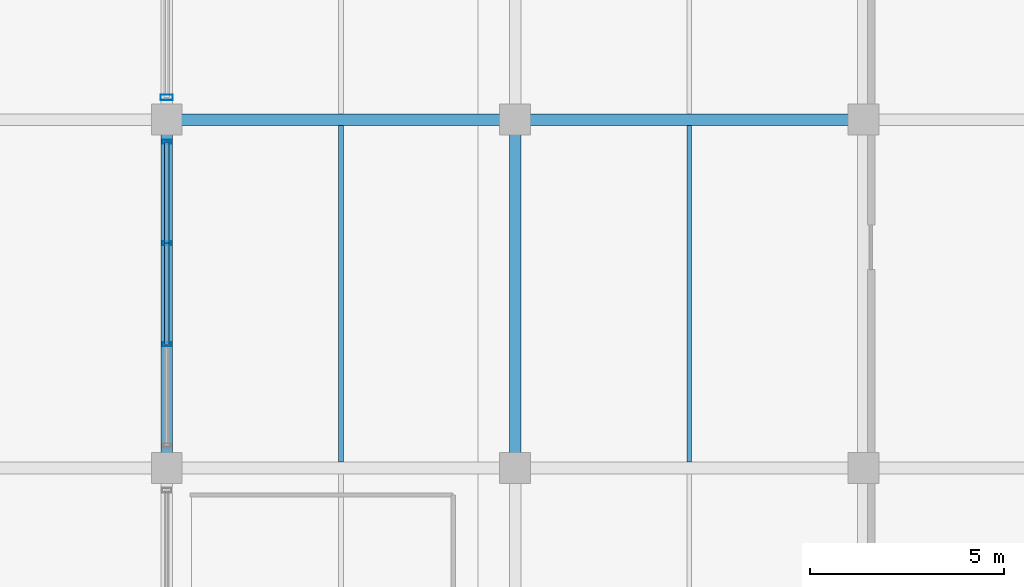
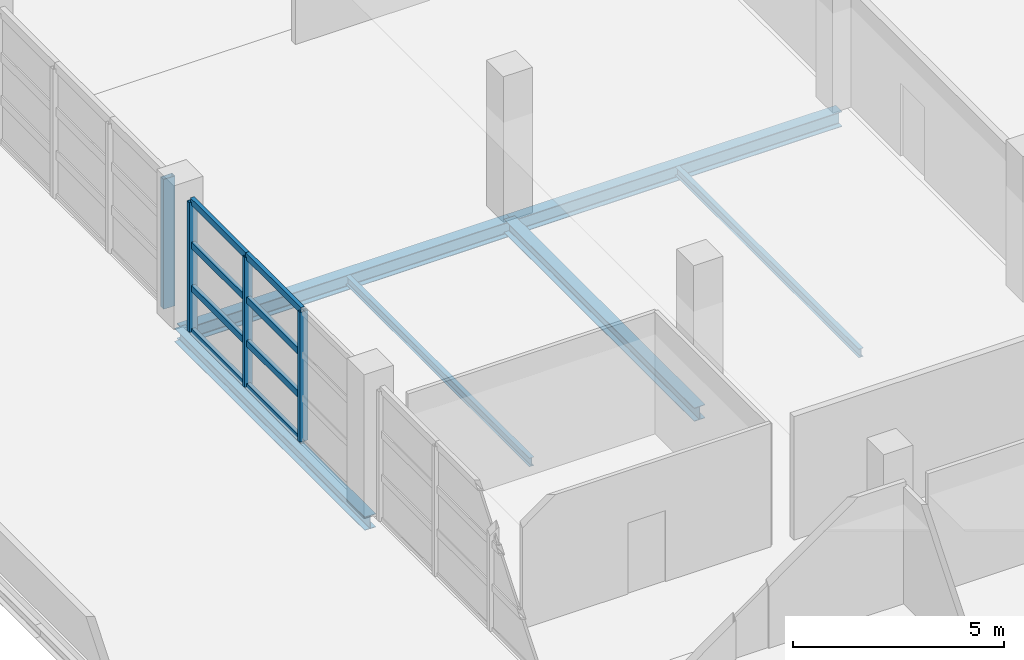
# One storey, part 82 of 136: 12 members, 6 beams, 2 elements without a shape of their own.
"""IFC4 building model written with IfcOpenShell, lengths in metres."""

from ifc_helpers import new_model, si_unit, direction, frame, origin, origin_2d, place, context, subcontext, project, spatial, hollow_rectangle, i_section, extrude, material, material_profile, profile_set, type_object, element, aggregate, save


model = new_model("IFC4")

# Units and contexts
model_context = context("Model", 3, precision=1e-05, world=origin(), true_north=direction((0.0, 1.0)))
body_context = subcontext(model_context, "Body", "Model", "MODEL_VIEW")
ifc_project = project(units=[si_unit("LENGTHUNIT", "METRE"), si_unit("AREAUNIT", "SQUARE_METRE"), si_unit("VOLUMEUNIT", "CUBIC_METRE"), si_unit("PLANEANGLEUNIT", "RADIAN"), si_unit("MASSUNIT", "GRAM", prefix="KILO")], contexts=[model_context])

# Site, building, storey
site_placement = place(None, origin())
site = spatial("IfcSite", under=ifc_project, at=site_placement, CompositionType="ELEMENT")
building_placement = place(site_placement, origin())
building = spatial("IfcBuilding", under=site, at=building_placement, Name="Chuanluo Vaults Station", CompositionType="ELEMENT")
storey_placement = place(building_placement, frame((0.0, 0.0, 6.60009765625)))
storey = spatial("IfcBuildingStorey", under=building, at=storey_placement, Name="L01", CompositionType="ELEMENT", Elevation=6.60009765625)

# Beams
ifc_material_1 = material(Name="Steel Q355C", Category="steel")
ifc_material_profile_1 = material_profile(ifc_material_1, i_section(OverallWidth=0.300048828125, OverallDepth=0.389892578125, WebThickness=0.010009765625, FlangeThickness=0.01611328125, FilletRadius=0.02001953125, at=origin_2d()))
ifc_profile_set_1 = profile_set([ifc_material_profile_1], Name="Steel Q355C")
beam_type_1 = type_object("IfcBeamType", Name="BM-GRD-400", PredefinedType="BEAM", material=ifc_profile_set_1)
for number, where, z_axis, x_axis, name in (
    (1, (145.0, 85.5, -0.43505859375), (0.0, 1.0, 0.0), (-1.0, 0.0, 0.0), "Floor girder BM:GY:L01:0473"),
    (2, (154.0, 85.5, -0.43505859375), (0.0, 1.0, 0.0), (-1.0, 0.0, 0.0), "Floor girder BM:GY:L01:0485"),
):
    element("IfcBeam", number, at=place(storey_placement, frame(where, z_axis=z_axis, x_axis=x_axis)), inside=storey, type_object=beam_type_1, Name=name, PredefinedType="BEAM", context=body_context, shape_type="SweptSolid", body=[
        extrude(i_section(OverallWidth=0.300048828125, OverallDepth=0.389892578125, WebThickness=0.010009765625, FlangeThickness=0.01611328125, FilletRadius=0.02001953125, at=origin_2d()), origin(), (0.0, 0.0, 1.0), 9.0),
    ])
ifc_material_2 = material(Name="Steel Q355C", Category="steel")
ifc_material_profile_2 = material_profile(ifc_material_2, i_section(OverallWidth=0.300048828125, OverallDepth=0.43994140625, WebThickness=0.010986328125, FlangeThickness=0.01806640625, FilletRadius=0.02001953125, at=origin_2d()))
ifc_profile_set_2 = profile_set([ifc_material_profile_2], Name="Steel Q355C")
beam_type_2 = type_object("IfcBeamType", Name="BM-GRD-450", PredefinedType="USERDEFINED", material=ifc_profile_set_2)
for number, where, z_axis, x_axis, name in (
    (3, (145.0, 94.5, -0.460205078125), (1.0, 0.0, 0.0), (0.0, 1.0, 0.0), "Floor girder BM:GX:L01:0358"),
    (4, (154.0, 94.5, -0.460205078125), (1.0, 0.0, 0.0), (0.0, 1.0, 0.0), "Floor girder BM:GX:L01:0359"),
):
    element("IfcBeam", number, at=place(storey_placement, frame(where, z_axis=z_axis, x_axis=x_axis)), inside=storey, type_object=beam_type_2, Name=name, ObjectType="GIRDER", PredefinedType="USERDEFINED", context=body_context, shape_type="SweptSolid", body=[
        extrude(i_section(OverallWidth=0.300048828125, OverallDepth=0.43994140625, WebThickness=0.010986328125, FlangeThickness=0.01806640625, FilletRadius=0.02001953125, at=origin_2d()), origin(), (0.0, 0.0, 1.0), 9.0),
    ])
ifc_material_3 = material(Name="Steel Q355C", Category="steel")
ifc_material_profile_3 = material_profile(ifc_material_3, i_section(OverallWidth=0.125, OverallDepth=0.25, WebThickness=0.006103515625, FlangeThickness=0.009033203125, FilletRadius=0.011962890625, at=origin_2d()))
ifc_profile_set_3 = profile_set([ifc_material_profile_3], Name="Steel Q355C")
beam_type_3 = type_object("IfcBeamType", Name="BM-SEC-250", PredefinedType="JOIST", material=ifc_profile_set_3)
for number, where, z_axis, x_axis, name in (
    (5, (149.5, 85.655029296875, -0.364990234375), (0.0, 1.0, 0.0), (-1.0, 0.0, 0.0), "Composite secondary joist 0164"),
    (6, (158.5, 85.655029296875, -0.364990234375), (0.0, 1.0, 0.0), (-1.0, 0.0, 0.0), "Composite secondary joist 0173"),
):
    element("IfcBeam", number, at=place(storey_placement, frame(where, z_axis=z_axis, x_axis=x_axis)), inside=storey, type_object=beam_type_3, Name=name, PredefinedType="JOIST", context=body_context, shape_type="SweptSolid", body=[
        extrude(i_section(OverallWidth=0.125, OverallDepth=0.25, WebThickness=0.006103515625, FlangeThickness=0.009033203125, FilletRadius=0.011962890625, at=origin_2d()), origin(), (0.0, 0.0, 1.0), 8.68994140625),
    ])

# Curtain wall, members
ifc_material_4 = material(Name="Anodised aluminium 6063-T6", Category="aluminium")
curtain_wall_type_1 = type_object("IfcCurtainWallType", Name="CW-SYS-12", PredefinedType="NOTDEFINED", material=ifc_material_4)
curtain_wall_1_placement = place(storey_placement, origin())
curtain_wall_1 = element("IfcCurtainWall", 7, at=curtain_wall_1_placement, inside=storey, type_object=curtain_wall_type_1, Name="Operations L01 facade CW", PredefinedType="NOTDEFINED")
ifc_material_5 = material(Name="Anodised aluminium 6063-T6", Category="aluminium")
ifc_material_profile_4 = material_profile(ifc_material_5, hollow_rectangle(XDim=0.10498046875, YDim=0.219970703125, WallThickness=0.006103515625, at=origin_2d()))
ifc_profile_set_4 = profile_set([ifc_material_profile_4], Name="Anodised aluminium 6063-T6")
member_type_1 = type_object("IfcMemberType", Name="CWM-140", PredefinedType="MULLION", material=ifc_profile_set_4)
member_1_placement = place(storey_placement, frame((145.0, 88.691650390625, 0.0), z_axis=(0.0, 0.0, 1.0), x_axis=(0.0, 1.0, 0.0)))
member_1 = element("IfcMember", 8, at=member_1_placement, type_object=member_type_1, Name="Operations L01 facade CW mullion 2", PredefinedType="MULLION", context=body_context, shape_type="SweptSolid", body=[
    extrude(hollow_rectangle(XDim=0.10498046875, YDim=0.219970703125, WallThickness=0.006103515625, at=origin_2d()), origin(), (0.0, 0.0, 1.0), 3.75),
])
member_2_placement = place(storey_placement, frame((145.0, 91.308349609375, 0.0), z_axis=(0.0, 0.0, 1.0), x_axis=(0.0, 1.0, 0.0)))
member_2 = element("IfcMember", 9, at=member_2_placement, type_object=member_type_1, Name="Operations L01 facade CW mullion 3", PredefinedType="MULLION", context=body_context, shape_type="SweptSolid", body=[
    extrude(hollow_rectangle(XDim=0.10498046875, YDim=0.219970703125, WallThickness=0.006103515625, at=origin_2d()), origin(), (0.0, 0.0, 1.0), 3.75),
])
member_3_placement = place(storey_placement, frame((145.0, 93.925048828125, 0.0), z_axis=(0.0, 0.0, 1.0), x_axis=(0.0, 1.0, 0.0)))
member_3 = element("IfcMember", 10, at=member_3_placement, type_object=member_type_1, Name="Operations L01 facade CW mullion 4", PredefinedType="MULLION", context=body_context, shape_type="SweptSolid", body=[
    extrude(hollow_rectangle(XDim=0.10498046875, YDim=0.219970703125, WallThickness=0.006103515625, at=origin_2d()), origin(), (0.0, 0.0, 1.0), 3.75),
])

# Curtain wall, member
ifc_material_6 = material(Name="Anodised aluminium 6063-T6", Category="aluminium")
curtain_wall_type_2 = type_object("IfcCurtainWallType", Name="CW-SYS-13", PredefinedType="NOTDEFINED", material=ifc_material_6)
curtain_wall_2_placement = place(storey_placement, origin())
curtain_wall_2 = element("IfcCurtainWall", 11, at=curtain_wall_2_placement, inside=storey, type_object=curtain_wall_type_2, Name="Operations L01 facade CW", PredefinedType="NOTDEFINED")
ifc_material_7 = material(Name="Anodised aluminium 6063-T6", Category="aluminium")
ifc_material_profile_5 = material_profile(ifc_material_7, hollow_rectangle(XDim=0.139892578125, YDim=0.320068359375, WallThickness=0.008056640625, at=origin_2d()))
ifc_profile_set_5 = profile_set([ifc_material_profile_5], Name="Anodised aluminium 6063-T6")
member_type_2 = type_object("IfcMemberType", Name="CWM-220", PredefinedType="MULLION", material=ifc_profile_set_5)
member_4_placement = place(storey_placement, frame((145.0, 95.074951171875, 0.0), z_axis=(0.0, 0.0, 1.0), x_axis=(0.0, 1.0, 0.0)))
member_4 = element("IfcMember", 12, at=member_4_placement, type_object=member_type_2, Name="Operations L01 facade CW mullion 1", PredefinedType="MULLION", context=body_context, shape_type="SweptSolid", body=[
    extrude(hollow_rectangle(XDim=0.139892578125, YDim=0.320068359375, WallThickness=0.008056640625, at=origin_2d()), origin(), (0.0, 0.0, 1.0), 3.75),
])
aggregate(curtain_wall_2, [member_4])

# Member
ifc_material_8 = material(Name="Anodised aluminium 6063-T6", Category="aluminium")
ifc_material_profile_6 = material_profile(ifc_material_8, hollow_rectangle(XDim=0.10498046875, YDim=0.18505859375, WallThickness=0.0048828125, at=origin_2d()))
ifc_profile_set_6 = profile_set([ifc_material_profile_6], Name="Anodised aluminium 6063-T6")
member_type_3 = type_object("IfcMemberType", Name="CWT-110", PredefinedType="USERDEFINED", material=ifc_profile_set_6)
member_5_placement = place(storey_placement, frame((145.0, 88.691650390625, 0.0), z_axis=(0.0, 1.0, 0.0), x_axis=(-1.0, 0.0, 0.0)))
member_5 = element("IfcMember", 13, at=member_5_placement, type_object=member_type_3, Name="Operations L01 facade CW transom 2.1", ObjectType="TRANSOM", PredefinedType="USERDEFINED", context=body_context, shape_type="SweptSolid", body=[
    extrude(hollow_rectangle(XDim=0.10498046875, YDim=0.18505859375, WallThickness=0.0048828125, at=origin_2d()), origin(), (0.0, 0.0, 1.0), 2.61669921875),
])

member_6_placement = place(storey_placement, frame((145.0, 88.691650390625, 1.25), z_axis=(0.0, 1.0, 0.0), x_axis=(-1.0, 0.0, 0.0)))
member_6 = element("IfcMember", 14, at=member_6_placement, type_object=member_type_3, Name="Operations L01 facade CW transom 2.2", ObjectType="TRANSOM", PredefinedType="USERDEFINED", context=body_context, shape_type="SweptSolid", body=[
    extrude(hollow_rectangle(XDim=0.10498046875, YDim=0.18505859375, WallThickness=0.0048828125, at=origin_2d()), origin(), (0.0, 0.0, 1.0), 2.61669921875),
])

member_7_placement = place(storey_placement, frame((145.0, 88.691650390625, 2.5), z_axis=(0.0, 1.0, 0.0), x_axis=(-1.0, 0.0, 0.0)))
member_7 = element("IfcMember", 15, at=member_7_placement, type_object=member_type_3, Name="Operations L01 facade CW transom 2.3", ObjectType="TRANSOM", PredefinedType="USERDEFINED", context=body_context, shape_type="SweptSolid", body=[
    extrude(hollow_rectangle(XDim=0.10498046875, YDim=0.18505859375, WallThickness=0.0048828125, at=origin_2d()), origin(), (0.0, 0.0, 1.0), 2.61669921875),
])

member_8_placement = place(storey_placement, frame((145.0, 88.691650390625, 3.75), z_axis=(0.0, 1.0, 0.0), x_axis=(-1.0, 0.0, 0.0)))
member_8 = element("IfcMember", 16, at=member_8_placement, type_object=member_type_3, Name="Operations L01 facade CW transom 2.4", ObjectType="TRANSOM", PredefinedType="USERDEFINED", context=body_context, shape_type="SweptSolid", body=[
    extrude(hollow_rectangle(XDim=0.10498046875, YDim=0.18505859375, WallThickness=0.0048828125, at=origin_2d()), origin(), (0.0, 0.0, 1.0), 2.61669921875),
])

member_9_placement = place(storey_placement, frame((145.0, 91.308349609375, 0.0), z_axis=(0.0, 1.0, 0.0), x_axis=(-1.0, 0.0, 0.0)))
member_9 = element("IfcMember", 17, at=member_9_placement, type_object=member_type_3, Name="Operations L01 facade CW transom 3.1", ObjectType="TRANSOM", PredefinedType="USERDEFINED", context=body_context, shape_type="SweptSolid", body=[
    extrude(hollow_rectangle(XDim=0.10498046875, YDim=0.18505859375, WallThickness=0.0048828125, at=origin_2d()), origin(), (0.0, 0.0, 1.0), 2.61669921875),
])

member_10_placement = place(storey_placement, frame((145.0, 91.308349609375, 1.25), z_axis=(0.0, 1.0, 0.0), x_axis=(-1.0, 0.0, 0.0)))
member_10 = element("IfcMember", 18, at=member_10_placement, type_object=member_type_3, Name="Operations L01 facade CW transom 3.2", ObjectType="TRANSOM", PredefinedType="USERDEFINED", context=body_context, shape_type="SweptSolid", body=[
    extrude(hollow_rectangle(XDim=0.10498046875, YDim=0.18505859375, WallThickness=0.0048828125, at=origin_2d()), origin(), (0.0, 0.0, 1.0), 2.61669921875),
])

member_11_placement = place(storey_placement, frame((145.0, 91.308349609375, 2.5), z_axis=(0.0, 1.0, 0.0), x_axis=(-1.0, 0.0, 0.0)))
member_11 = element("IfcMember", 19, at=member_11_placement, type_object=member_type_3, Name="Operations L01 facade CW transom 3.3", ObjectType="TRANSOM", PredefinedType="USERDEFINED", context=body_context, shape_type="SweptSolid", body=[
    extrude(hollow_rectangle(XDim=0.10498046875, YDim=0.18505859375, WallThickness=0.0048828125, at=origin_2d()), origin(), (0.0, 0.0, 1.0), 2.61669921875),
])

member_12_placement = place(storey_placement, frame((145.0, 91.308349609375, 3.75), z_axis=(0.0, 1.0, 0.0), x_axis=(-1.0, 0.0, 0.0)))
member_12 = element("IfcMember", 20, at=member_12_placement, type_object=member_type_3, Name="Operations L01 facade CW transom 3.4", ObjectType="TRANSOM", PredefinedType="USERDEFINED", context=body_context, shape_type="SweptSolid", body=[
    extrude(hollow_rectangle(XDim=0.10498046875, YDim=0.18505859375, WallThickness=0.0048828125, at=origin_2d()), origin(), (0.0, 0.0, 1.0), 2.61669921875),
])

aggregate(curtain_wall_1, [member_1, member_2, member_3, member_5, member_6, member_7, member_8, member_9, member_10, member_11, member_12])

save(model, "model.ifc")
